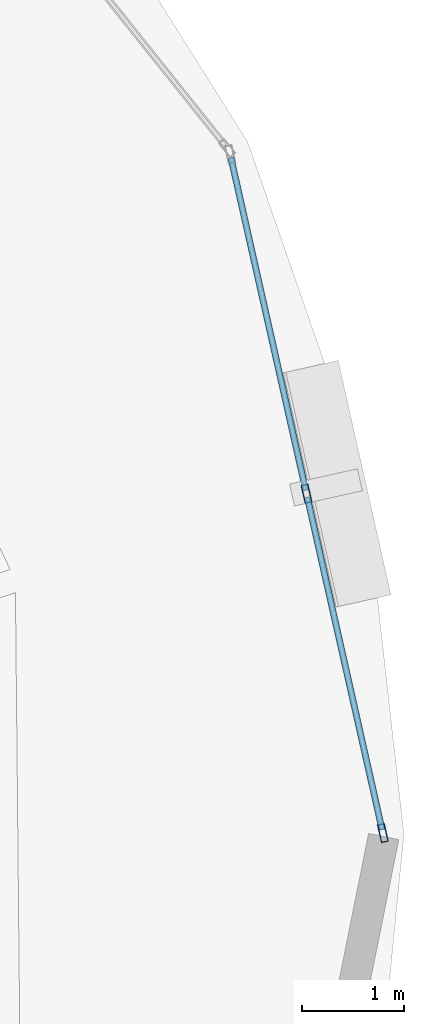
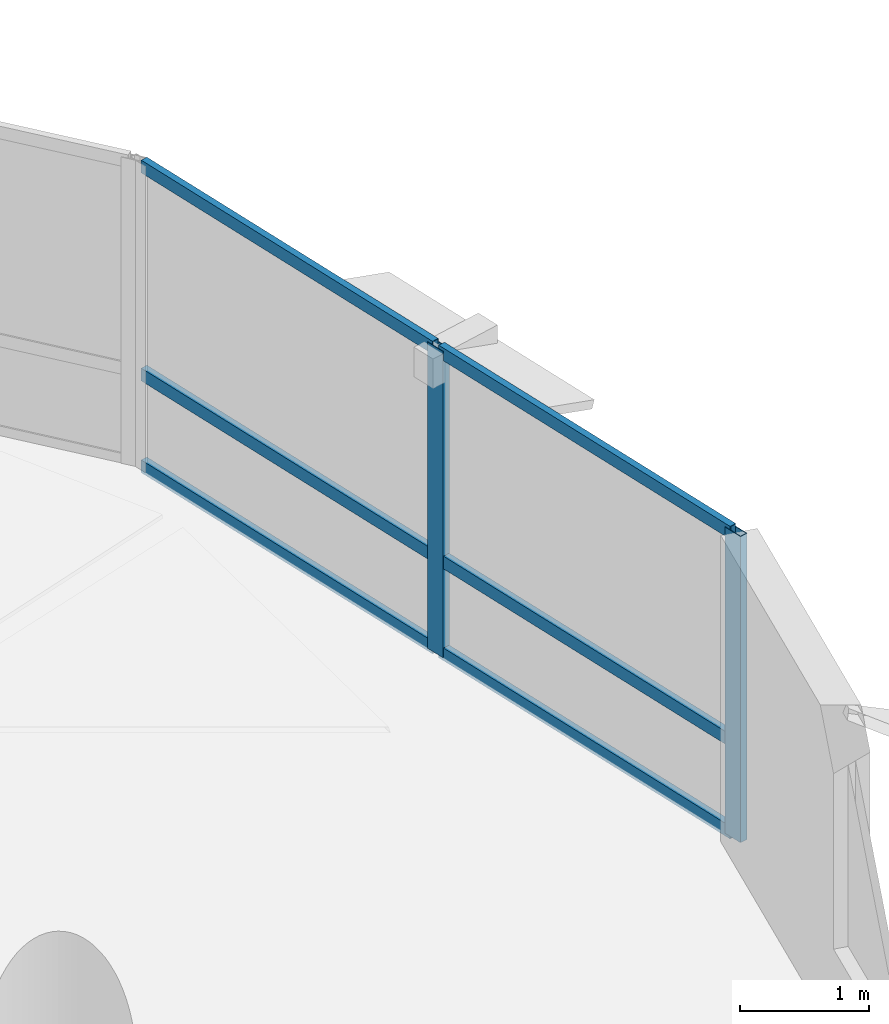
# One storey, part 6 of 15: 8 members, 1 element without a shape of its own.
"""IFC4 building model written with IfcOpenShell, lengths in metres."""

from ifc_helpers import new_model, si_unit, direction, frame, origin, origin_2d, place, context, subcontext, project, spatial, hollow_rectangle, extrude, material, layer, layer_set, material_profile, profile_set, type_object, element, aggregate, save


model = new_model("IFC4")

# Units and contexts
model_context = context("Model", 3, precision=1e-05, world=origin(), true_north=direction((0.0, 1.0)))
body_context = subcontext(model_context, "Body", "Model", "MODEL_VIEW")
ifc_project = project(units=[si_unit("LENGTHUNIT", "METRE"), si_unit("AREAUNIT", "SQUARE_METRE"), si_unit("VOLUMEUNIT", "CUBIC_METRE"), si_unit("PLANEANGLEUNIT", "RADIAN"), si_unit("MASSUNIT", "GRAM", prefix="KILO"), si_unit("THERMODYNAMICTEMPERATUREUNIT", "KELVIN"), si_unit("POWERUNIT", "WATT")], contexts=[model_context])

# Site, building, storey
site_placement = place(None, origin())
site = spatial("IfcSite", under=ifc_project, at=site_placement, CompositionType="ELEMENT")
building_placement = place(site_placement, origin())
building = spatial("IfcBuilding", under=site, at=building_placement, Name="Ocrelia Relay Tower", CompositionType="ELEMENT")
storey_placement = place(building_placement, frame((0.0, 0.0, 141.800048828125)))
storey = spatial("IfcBuildingStorey", under=building, at=storey_placement, Name="L33", CompositionType="ELEMENT", Elevation=141.800048828125)

# Curtain wall, members
ifc_material_1 = material(Name="Aluminium and solar-control low-E glass", Category="aluminium")
ifc_layer = layer(ifc_material_1, 0.179931640625, Name="Aluminium and solar-control low-E glass")
ifc_layer_set = layer_set([ifc_layer], Name="Aluminium and solar-control low-E glass")
curtain_wall_type = type_object("IfcCurtainWallType", Name="CW-SYS-Z2-SWIT", PredefinedType="NOTDEFINED", material=ifc_layer_set)
curtain_wall_placement = place(storey_placement, origin())
curtain_wall = element("IfcCurtainWall", 1, at=curtain_wall_placement, inside=storey, type_object=curtain_wall_type, Name="L33 Elliptical Tower Curtain Wall Bay 18", PredefinedType="NOTDEFINED")
ifc_material_2 = material(Name="Anodised bronze aluminium", Category="aluminium")
ifc_material_profile_1 = material_profile(ifc_material_2, hollow_rectangle(XDim=0.070068359375, YDim=0.179931640625, WallThickness=0.006103515625, at=origin_2d()), Name="CW-MUL-180x70")
ifc_profile_set_1 = profile_set([ifc_material_profile_1], Name="Anodised bronze aluminium")
member_type_1 = type_object("IfcMemberType", Name="CW-SYS-Z2-SWIT-MUL", PredefinedType="MULLION", material=ifc_profile_set_1)
member_1_placement = place(storey_placement, frame((58.57958984375, 30.404296875, 0.0), z_axis=(0.0, 0.0, 1.0), x_axis=(-0.975611079184, -0.219506314656, 0.0)))
member_1 = element("IfcMember", 2, at=member_1_placement, type_object=member_type_1, Name="CW-Z2 mullion 1", PredefinedType="MULLION", context=body_context, shape_type="SweptSolid", body=[
    extrude(hollow_rectangle(XDim=0.070068359375, YDim=0.179931640625, WallThickness=0.006103515625, at=origin_2d()), origin(), (0.0, 0.0, 1.0), 2.89990234375),
])
member_2_placement = place(storey_placement, frame((57.832275390625, 33.725830078125, 0.0), z_axis=(0.0, 0.0, 1.0), x_axis=(-0.975611079184, -0.219506314656, 0.0)))
member_2 = element("IfcMember", 3, at=member_2_placement, type_object=member_type_1, Name="CW-Z2 mullion 2", PredefinedType="MULLION", context=body_context, shape_type="SweptSolid", body=[
    extrude(hollow_rectangle(XDim=0.070068359375, YDim=0.179931640625, WallThickness=0.006103515625, at=origin_2d()), origin(), (0.0, 0.0, 1.0), 2.89990234375),
])
ifc_material_profile_2 = material_profile(ifc_material_2, hollow_rectangle(XDim=0.06005859375, YDim=0.1201171875, WallThickness=0.0048828125, at=origin_2d()), Name="CW-TRN-120x60")
ifc_profile_set_2 = profile_set([ifc_material_profile_2], Name="Anodised bronze aluminium")
member_type_2 = type_object("IfcMemberType", Name="CW-SYS-Z2-SWIT-TRN", PredefinedType="USERDEFINED", material=ifc_profile_set_2)
member_3_placement = place(storey_placement, frame((58.572021484375, 30.4384765625, 0.030029296875), z_axis=(-0.219503484032, 0.975611716052, 0.0), x_axis=(-0.975611716052, -0.219503484032, 0.0)))
member_3 = element("IfcMember", 4, at=member_3_placement, type_object=member_type_2, Name="CW-Z2 transom 1.1", ObjectType="TRANSOM", PredefinedType="USERDEFINED", context=body_context, shape_type="SweptSolid", body=[
    extrude(hollow_rectangle(XDim=0.06005859375, YDim=0.1201171875, WallThickness=0.0048828125, at=origin_2d()), origin(), (0.0, 0.0, 1.0), 3.33447265625),
])
member_4_placement = place(storey_placement, frame((58.572021484375, 30.4384765625, 0.89990234375), z_axis=(-0.219503484032, 0.975611716052, 0.0), x_axis=(-0.975611716052, -0.219503484032, 0.0)))
member_4 = element("IfcMember", 5, at=member_4_placement, type_object=member_type_2, Name="CW-Z2 transom 1.2", ObjectType="TRANSOM", PredefinedType="USERDEFINED", context=body_context, shape_type="SweptSolid", body=[
    extrude(hollow_rectangle(XDim=0.06005859375, YDim=0.1201171875, WallThickness=0.0048828125, at=origin_2d()), origin(), (0.0, 0.0, 1.0), 3.33447265625),
])
member_5_placement = place(storey_placement, frame((58.572021484375, 30.4384765625, 2.869873046875), z_axis=(-0.219503484032, 0.975611716052, 0.0), x_axis=(-0.975611716052, -0.219503484032, 0.0)))
member_5 = element("IfcMember", 6, at=member_5_placement, type_object=member_type_2, Name="CW-Z2 transom 1.3", ObjectType="TRANSOM", PredefinedType="USERDEFINED", context=body_context, shape_type="SweptSolid", body=[
    extrude(hollow_rectangle(XDim=0.06005859375, YDim=0.1201171875, WallThickness=0.0048828125, at=origin_2d()), origin(), (0.0, 0.0, 1.0), 3.33447265625),
])
member_6_placement = place(storey_placement, frame((57.82470703125, 33.760009765625, 0.030029296875), z_axis=(-0.219503484032, 0.975611716052, 0.0), x_axis=(-0.975611716052, -0.219503484032, 0.0)))
member_6 = element("IfcMember", 7, at=member_6_placement, type_object=member_type_2, Name="CW-Z2 transom 2.1", ObjectType="TRANSOM", PredefinedType="USERDEFINED", context=body_context, shape_type="SweptSolid", body=[
    extrude(hollow_rectangle(XDim=0.06005859375, YDim=0.1201171875, WallThickness=0.0048828125, at=origin_2d()), origin(), (0.0, 0.0, 1.0), 3.33447265625),
])
member_7_placement = place(storey_placement, frame((57.82470703125, 33.760009765625, 0.89990234375), z_axis=(-0.219503484032, 0.975611716052, 0.0), x_axis=(-0.975611716052, -0.219503484032, 0.0)))
member_7 = element("IfcMember", 8, at=member_7_placement, type_object=member_type_2, Name="CW-Z2 transom 2.2", ObjectType="TRANSOM", PredefinedType="USERDEFINED", context=body_context, shape_type="SweptSolid", body=[
    extrude(hollow_rectangle(XDim=0.06005859375, YDim=0.1201171875, WallThickness=0.0048828125, at=origin_2d()), origin(), (0.0, 0.0, 1.0), 3.33447265625),
])
member_8_placement = place(storey_placement, frame((57.82470703125, 33.760009765625, 2.869873046875), z_axis=(-0.219503484032, 0.975611716052, 0.0), x_axis=(-0.975611716052, -0.219503484032, 0.0)))
member_8 = element("IfcMember", 9, at=member_8_placement, type_object=member_type_2, Name="CW-Z2 transom 2.3", ObjectType="TRANSOM", PredefinedType="USERDEFINED", context=body_context, shape_type="SweptSolid", body=[
    extrude(hollow_rectangle(XDim=0.06005859375, YDim=0.1201171875, WallThickness=0.0048828125, at=origin_2d()), origin(), (0.0, 0.0, 1.0), 3.33447265625),
])
aggregate(curtain_wall, [member_1, member_2, member_3, member_4, member_5, member_6, member_7, member_8])

save(model, "model.ifc")
